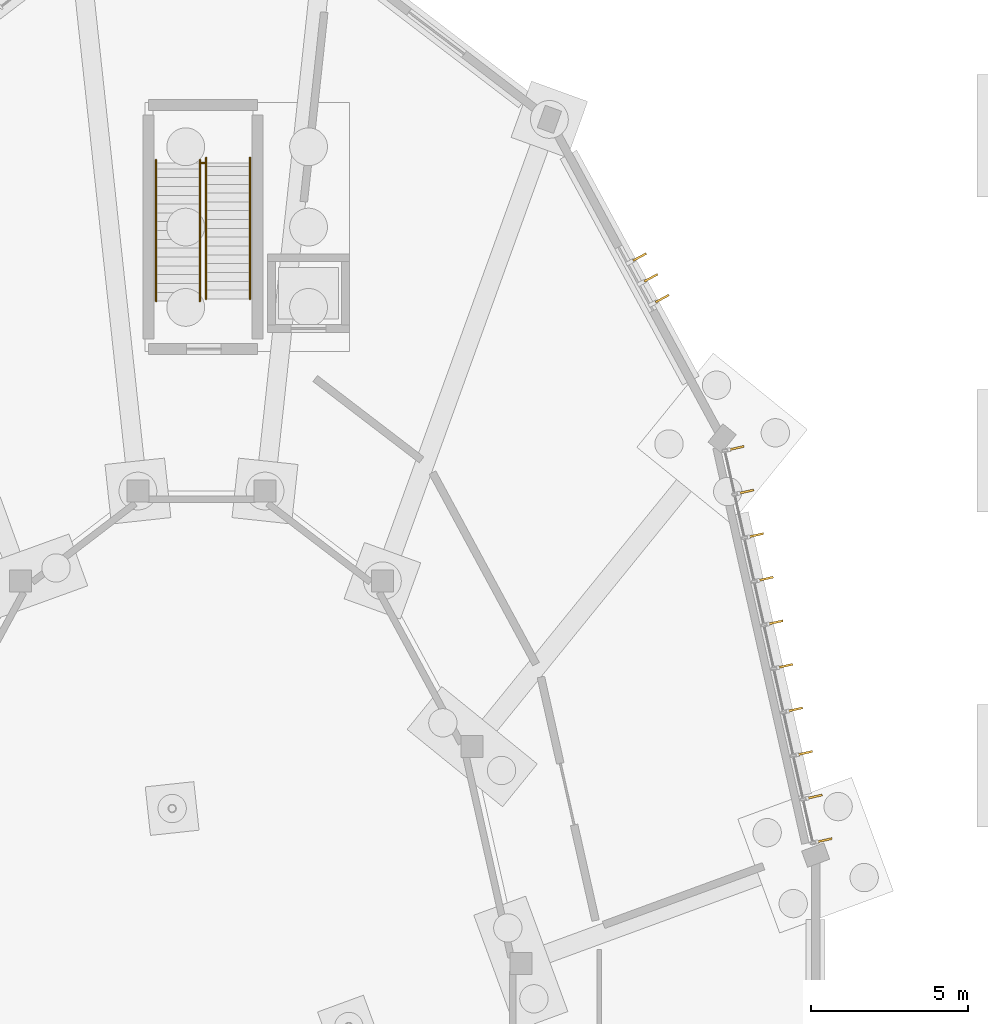
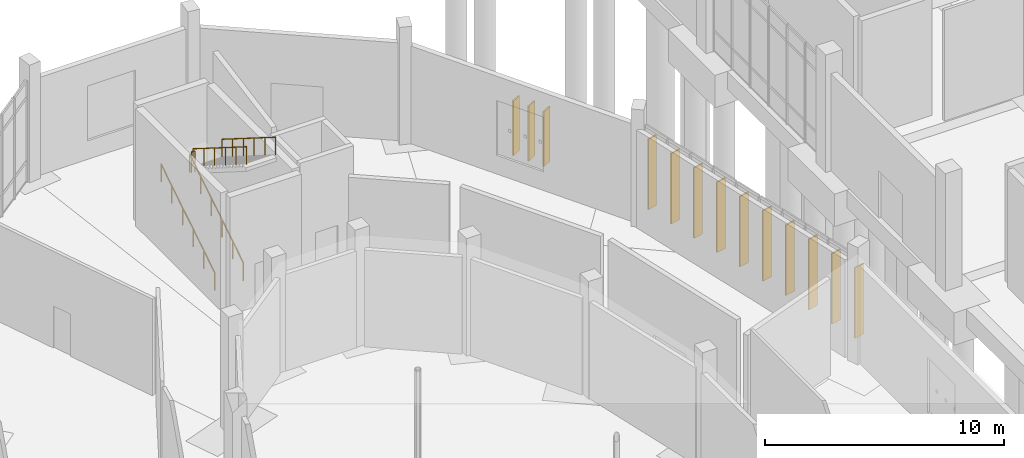
# One storey, part 134 of 140: 13 shading devices, 5 railings.
"""IFC4 building model written with IfcOpenShell, lengths in metres."""

from ifc_helpers import new_model, si_unit, direction, frame, origin, origin_2d, place, context, subcontext, project, spatial, rectangle, circle, extrude, material, layer, layer_set, type_object, element, save


model = new_model("IFC4")

# Units and contexts
model_context = context("Model", 3, precision=1e-05, world=origin(), true_north=direction((0.0, 1.0)))
body_context = subcontext(model_context, "Body", "Model", "MODEL_VIEW")
ifc_project = project(units=[si_unit("LENGTHUNIT", "METRE"), si_unit("AREAUNIT", "SQUARE_METRE"), si_unit("VOLUMEUNIT", "CUBIC_METRE"), si_unit("PLANEANGLEUNIT", "RADIAN"), si_unit("MASSUNIT", "GRAM", prefix="KILO")], contexts=[model_context])

# Site, building, storey
site_placement = place(None, origin())
site = spatial("IfcSite", under=ifc_project, at=site_placement, CompositionType="ELEMENT")
building_placement = place(site_placement, origin())
building = spatial("IfcBuilding", under=site, at=building_placement, Name="Corvandel Quay Wholesale Market", CompositionType="ELEMENT")
storey_placement = place(building_placement, origin())
storey = spatial("IfcBuildingStorey", under=building, at=storey_placement, Name="L00", CompositionType="ELEMENT", Elevation=0.0)

# Railings
ifc_material_1 = material(Name="Painted galvanised tubular steel", Category="steel")
ifc_layer_1 = layer(ifc_material_1, 0.054931640625)
ifc_layer_set_1 = layer_set([ifc_layer_1], Name="Painted galvanised tubular steel")
railing_type_1 = type_object("IfcRailingType", Name="Stairwell Inner Guard Railing GR02 1100mm", PredefinedType="GUARDRAIL", material=ifc_layer_set_1)
railing_placement = place(storey_placement, frame((194.469970703125, 89.1298828125, 3.0)))
element("IfcRailing", 1, at=railing_placement, inside=storey, type_object=railing_type_1, Name="Stair Landing Well Guard 0073", PredefinedType="GUARDRAIL", context=body_context, shape_type="SweptSolid", body=[
    extrude(circle(Radius=0.02392578125, at=origin_2d()), frame((0.0, 0.0, 1.076171875), z_axis=(1.0, 0.0, 0.0), x_axis=(0.0, 1.0, 0.0)), (0.0, 0.0, 1.0), 0.159912109375),
    extrude(circle(Radius=0.02099609375, at=origin_2d()), origin(), (0.0, 0.0, 1.0), 1.052001953125),
    extrude(circle(Radius=0.02099609375, at=origin_2d()), frame((0.159912109375, 0.0, 0.0)), (0.0, 0.0, 1.0), 1.052001953125),
])
ifc_material_2 = material(Name="Brushed austenitic stainless steel Grade 316", Category="steel")
ifc_layer_2 = layer(ifc_material_2, 0.048095703125)
ifc_layer_set_2 = layer_set([ifc_layer_2], Name="Brushed austenitic stainless steel Grade 316")
railing_type_2 = type_object("IfcRailingType", Name="Tubular Stainless Stair Handrail HR01 915mm", PredefinedType="HANDRAIL", material=ifc_layer_set_2)
for number, where, name in (
    (2, (193.06005859375, 84.75, 0.176513671875), "Stair Handrail 0069"),
    (3, (194.449951171875, 84.75, 0.176513671875), "Stair Handrail 0070"),
):
    element("IfcRailing", number, at=place(storey_placement, frame(where)), inside=storey, type_object=railing_type_2, Name=name, PredefinedType="HANDRAIL", context=body_context, shape_type="SweptSolid", body=[
        extrude(circle(Radius=0.02392578125, at=origin_2d()), frame((0.0, 0.0, 0.89111328125), z_axis=(0.0, 0.845997938375, 0.533186166611), x_axis=(-1.0, 0.0, 0.0)), (0.0, 0.0, 1.0), 5.29541015625),
        extrude(circle(Radius=0.02099609375, at=origin_2d()), origin(), (0.0, 0.0, 1.0), 0.866943359375),
        extrude(circle(Radius=0.02099609375, at=origin_2d()), frame((0.0, 0.89599609375, 0.564697265625)), (0.0, 0.0, 1.0), 0.866943359375),
        extrude(circle(Radius=0.02099609375, at=origin_2d()), frame((0.0, 1.7919921875, 1.12939453125)), (0.0, 0.0, 1.0), 0.866943359375),
        extrude(circle(Radius=0.02099609375, at=origin_2d()), frame((0.0, 2.68798828125, 1.694091796875)), (0.0, 0.0, 1.0), 0.866943359375),
        extrude(circle(Radius=0.02099609375, at=origin_2d()), frame((0.0, 3.583984375, 2.2587890625)), (0.0, 0.0, 1.0), 0.866943359375),
        extrude(circle(Radius=0.02099609375, at=origin_2d()), frame((0.0, 4.47998046875, 2.823486328125)), (0.0, 0.0, 1.0), 0.866943359375),
    ])
for number, where, name in (
    (4, (194.64990234375, 89.300048828125, 3.176513671875), "Stair Handrail 0071"),
    (5, (196.0400390625, 89.300048828125, 3.176513671875), "Stair Handrail 0072"),
):
    element("IfcRailing", number, at=place(storey_placement, frame(where)), inside=storey, type_object=railing_type_2, Name=name, PredefinedType="HANDRAIL", context=body_context, shape_type="SweptSolid", body=[
        extrude(circle(Radius=0.02392578125, at=origin_2d()), frame((0.0, 0.0, 0.89111328125), z_axis=(0.0, -0.845997938375, 0.533186166611), x_axis=(1.0, 0.0, 0.0)), (0.0, 0.0, 1.0), 5.29541015625),
        extrude(circle(Radius=0.02099609375, at=origin_2d()), origin(), (0.0, 0.0, 1.0), 0.866943359375),
        extrude(circle(Radius=0.02099609375, at=origin_2d()), frame((0.0, -0.89599609375, 0.564697265625)), (0.0, 0.0, 1.0), 0.866943359375),
        extrude(circle(Radius=0.02099609375, at=origin_2d()), frame((0.0, -1.7919921875, 1.12939453125)), (0.0, 0.0, 1.0), 0.866943359375),
        extrude(circle(Radius=0.02099609375, at=origin_2d()), frame((0.0, -2.68798828125, 1.694091796875)), (0.0, 0.0, 1.0), 0.866943359375),
        extrude(circle(Radius=0.02099609375, at=origin_2d()), frame((0.0, -3.583984375, 2.2587890625)), (0.0, 0.0, 1.0), 0.866943359375),
        extrude(circle(Radius=0.02099609375, at=origin_2d()), frame((0.0, -4.47998046875, 2.823486328125)), (0.0, 0.0, 1.0), 0.866943359375),
    ])

# Shading devices
ifc_material_3 = material(Name="Bronze anodised extruded aluminium 6063-T6", Category="aluminium")
shading_device_type = type_object("IfcShadingDeviceType", Name="Vertical Anodised Bronze Solar Fin FN01 480mm", PredefinedType="JALOUSIE", material=ifc_material_3)
for number, where, z_axis, x_axis, name in (
    (6, (214.283203125, 67.634521484375, 0.77490234375), (0.0, 0.0, 1.0), (0.975726024471, 0.218994806262, 0.0), "Solar Fin 0440"),
    (7, (213.972900390625, 69.017822265625, 0.77490234375), (0.0, 0.0, 1.0), (0.975726024471, 0.218994806262, 0.0), "Solar Fin 0441"),
    (8, (213.662353515625, 70.4013671875, 0.77490234375), (0.0, 0.0, 1.0), (0.975726024471, 0.218994806262, 0.0), "Solar Fin 0442"),
    (9, (213.351806640625, 71.78466796875, 0.77490234375), (0.0, 0.0, 1.0), (0.975726024471, 0.218994806262, 0.0), "Solar Fin 0443"),
    (10, (213.04150390625, 73.16796875, 0.77490234375), (0.0, 0.0, 1.0), (0.975726024471, 0.218994806262, 0.0), "Solar Fin 0444"),
    (11, (212.731201171875, 74.551513671875, 0.77490234375), (0.0, 0.0, 1.0), (0.975726024471, 0.218994806262, 0.0), "Solar Fin 0445"),
    (12, (212.420654296875, 75.934814453125, 0.77490234375), (0.0, 0.0, 1.0), (0.975726024471, 0.218994806262, 0.0), "Solar Fin 0446"),
    (13, (212.110107421875, 77.318115234375, 0.77490234375), (0.0, 0.0, 1.0), (0.975726024471, 0.218994806262, 0.0), "Solar Fin 0447"),
    (14, (211.7998046875, 78.701416015625, 0.77490234375), (0.0, 0.0, 1.0), (0.975726024471, 0.218994806262, 0.0), "Solar Fin 0448"),
    (15, (211.489501953125, 80.0849609375, 0.77490234375), (0.0, 0.0, 1.0), (0.975726024471, 0.218994806262, 0.0), "Solar Fin 0449"),
):
    element("IfcShadingDevice", number, at=place(storey_placement, frame(where, z_axis=z_axis, x_axis=x_axis)), inside=storey, type_object=shading_device_type, Name=name, PredefinedType="JALOUSIE", context=body_context, shape_type="SweptSolid", body=[
        extrude(rectangle(XDim=0.47998046875, YDim=0.06494140625, at=origin_2d()), origin(), (0.0, 0.0, 1.0), 3.60009765625),
    ])
for number, where, z_axis, x_axis, name in (
    (16, (209.127685546875, 84.830078125, 0.9501953125), (0.0, 0.0, 1.0), (0.879316310191, 0.476238203668, 0.0), "Solar Fin 0454"),
    (17, (208.7705078125, 85.489501953125, 0.9501953125), (0.0, 0.0, 1.0), (0.879316310191, 0.476238203668, 0.0), "Solar Fin 0455"),
    (18, (208.4130859375, 86.149169921875, 0.9501953125), (0.0, 0.0, 1.0), (0.879316310191, 0.476238203668, 0.0), "Solar Fin 0456"),
):
    element("IfcShadingDevice", number, at=place(storey_placement, frame(where, z_axis=z_axis, x_axis=x_axis)), inside=storey, type_object=shading_device_type, Name=name, PredefinedType="JALOUSIE", context=body_context, shape_type="SweptSolid", body=[
        extrude(rectangle(XDim=0.47998046875, YDim=0.06494140625, at=origin_2d()), origin(), (0.0, 0.0, 1.0), 2.800048828125),
    ])

save(model, "model.ifc")
